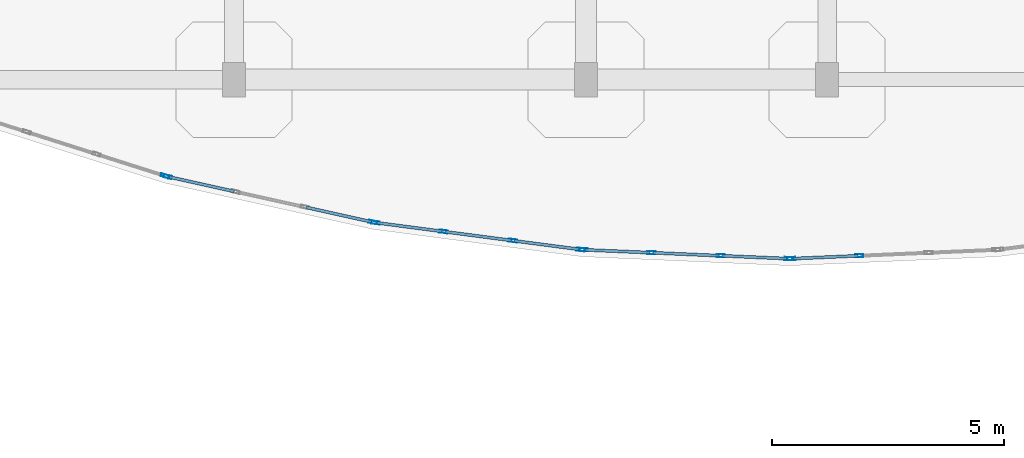
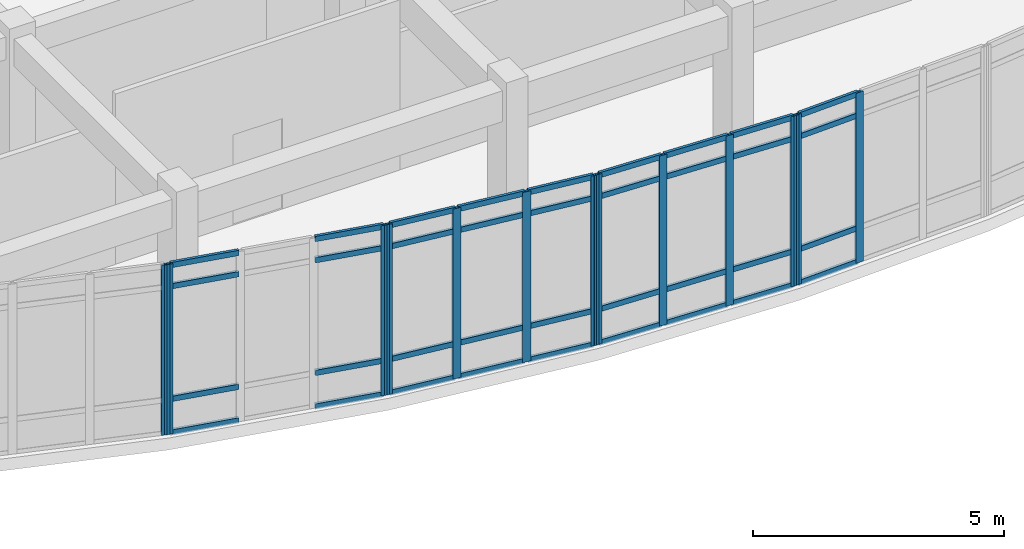
# One storey, part 77 of 142: 49 members, 5 elements without a shape of their own.
"""IFC4 building model written with IfcOpenShell, lengths in metres."""

from ifc_helpers import new_model, si_unit, direction, frame, origin, origin_2d, place, context, subcontext, project, spatial, hollow_rectangle, extrude, material, layer, layer_set, material_profile, profile_set, type_object, element, aggregate, save


model = new_model("IFC4")

# Units and contexts
model_context = context("Model", 3, precision=1e-05, world=origin(), true_north=direction((0.0, 1.0)))
body_context = subcontext(model_context, "Body", "Model", "MODEL_VIEW")
ifc_project = project(units=[si_unit("LENGTHUNIT", "METRE"), si_unit("AREAUNIT", "SQUARE_METRE"), si_unit("VOLUMEUNIT", "CUBIC_METRE"), si_unit("PLANEANGLEUNIT", "RADIAN"), si_unit("MASSUNIT", "GRAM", prefix="KILO")], contexts=[model_context])

# Site, building, storey
site_placement = place(None, origin())
site = spatial("IfcSite", under=ifc_project, at=site_placement, CompositionType="ELEMENT")
building_placement = place(site_placement, origin())
building = spatial("IfcBuilding", under=site, at=building_placement, Name="Valcora Specialist Clinic", CompositionType="ELEMENT")
storey_placement = place(building_placement, frame((0.0, 0.0, 5.10009765625)))
storey = spatial("IfcBuildingStorey", under=building, at=storey_placement, Name="L01", CompositionType="ELEMENT", Elevation=5.10009765625)

# Curtain wall, members
ifc_material = material(Name="Anodized Bronze Aluminium 6063-T6", Category="aluminium")
ifc_layer = layer(ifc_material, 0.175048828125)
ifc_layer_set = layer_set([ifc_layer], Name="Anodized Bronze Aluminium 6063-T6")
curtain_wall_type = type_object("IfcCurtainWallType", Name="TY-CW-ARC44", PredefinedType="NOTDEFINED", material=ifc_layer_set)
curtain_wall_1_placement = place(storey_placement, origin())
curtain_wall_1 = element("IfcCurtainWall", 1, at=curtain_wall_1_placement, inside=storey, type_object=curtain_wall_type, Name="Curtain wall CW-L01-056", PredefinedType="NOTDEFINED")
ifc_material_profile_1 = material_profile(ifc_material, hollow_rectangle(XDim=0.06494140625, YDim=0.175048828125, WallThickness=0.00390625, at=origin_2d()), Name="AL-MUL-65X175")
ifc_profile_set_1 = profile_set([ifc_material_profile_1], Name="Anodized Bronze Aluminium 6063-T6")
member_type_1 = type_object("IfcMemberType", Name="TY-CWM-65X175", PredefinedType="MULLION", material=ifc_profile_set_1)
member_1_placement = place(storey_placement, frame((111.895751953125, 71.0, 0.0), z_axis=(0.0, 0.0, 1.0), x_axis=(0.043306780525, -0.999061821291, 0.0)))
member_1 = element("IfcMember", 2, at=member_1_placement, type_object=member_type_1, Name="CW-ARC-44 mullion 3", PredefinedType="MULLION", context=body_context, shape_type="SweptSolid", body=[
    extrude(hollow_rectangle(XDim=0.06494140625, YDim=0.175048828125, WallThickness=0.00390625, at=origin_2d()), origin(), (0.0, 0.0, 1.0), 4.14501953125),
])
member_2_placement = place(storey_placement, frame((110.432373046875, 70.9365234375, 0.0), z_axis=(0.0, 0.0, 1.0), x_axis=(0.043306780525, -0.999061821291, 0.0)))
member_2 = element("IfcMember", 3, at=member_2_placement, type_object=member_type_1, Name="CW-ARC-44 mullion 4", PredefinedType="MULLION", context=body_context, shape_type="SweptSolid", body=[
    extrude(hollow_rectangle(XDim=0.06494140625, YDim=0.175048828125, WallThickness=0.00390625, at=origin_2d()), origin(), (0.0, 0.0, 1.0), 4.14501953125),
])

curtain_wall_2_placement = place(storey_placement, origin())
curtain_wall_2 = element("IfcCurtainWall", 4, at=curtain_wall_2_placement, inside=storey, type_object=curtain_wall_type, Name="Curtain wall CW-L01-057", PredefinedType="NOTDEFINED")
member_3_placement = place(storey_placement, frame((110.367431640625, 70.9365234375, 0.0), z_axis=(0.0, 0.0, 1.0), x_axis=(-0.043306780525, -0.999061821291, 0.0)))
member_3 = element("IfcMember", 5, at=member_3_placement, type_object=member_type_1, Name="CW-ARC-44 mullion 1", PredefinedType="MULLION", context=body_context, shape_type="SweptSolid", body=[
    extrude(hollow_rectangle(XDim=0.06494140625, YDim=0.175048828125, WallThickness=0.00390625, at=origin_2d()), origin(), (0.0, 0.0, 1.0), 4.14501953125),
])
member_4_placement = place(storey_placement, frame((108.904296875, 71.0, 0.0), z_axis=(0.0, 0.0, 1.0), x_axis=(-0.043306780525, -0.999061821291, 0.0)))
member_4 = element("IfcMember", 6, at=member_4_placement, type_object=member_type_1, Name="CW-ARC-44 mullion 2", PredefinedType="MULLION", context=body_context, shape_type="SweptSolid", body=[
    extrude(hollow_rectangle(XDim=0.06494140625, YDim=0.175048828125, WallThickness=0.00390625, at=origin_2d()), origin(), (0.0, 0.0, 1.0), 4.14501953125),
])
member_5_placement = place(storey_placement, frame((107.40869140625, 71.064697265625, 0.0), z_axis=(0.0, 0.0, 1.0), x_axis=(-0.043306780525, -0.999061821291, 0.0)))
member_5 = element("IfcMember", 7, at=member_5_placement, type_object=member_type_1, Name="CW-ARC-44 mullion 3", PredefinedType="MULLION", context=body_context, shape_type="SweptSolid", body=[
    extrude(hollow_rectangle(XDim=0.06494140625, YDim=0.175048828125, WallThickness=0.00390625, at=origin_2d()), origin(), (0.0, 0.0, 1.0), 4.14501953125),
])
member_6_placement = place(storey_placement, frame((105.945556640625, 71.128173828125, 0.0), z_axis=(0.0, 0.0, 1.0), x_axis=(-0.043306780525, -0.999061821291, 0.0)))
member_6 = element("IfcMember", 8, at=member_6_placement, type_object=member_type_1, Name="CW-ARC-44 mullion 4", PredefinedType="MULLION", context=body_context, shape_type="SweptSolid", body=[
    extrude(hollow_rectangle(XDim=0.06494140625, YDim=0.175048828125, WallThickness=0.00390625, at=origin_2d()), origin(), (0.0, 0.0, 1.0), 4.14501953125),
])

curtain_wall_3_placement = place(storey_placement, origin())
curtain_wall_3 = element("IfcCurtainWall", 9, at=curtain_wall_3_placement, inside=storey, type_object=curtain_wall_type, Name="Curtain wall CW-L01-058", PredefinedType="NOTDEFINED")
member_7_placement = place(storey_placement, frame((105.880859375, 71.1337890625, 0.0), z_axis=(0.0, 0.0, 1.0), x_axis=(-0.129999492259, -0.991514060421, 0.0)))
member_7 = element("IfcMember", 10, at=member_7_placement, type_object=member_type_1, Name="CW-ARC-44 mullion 1", PredefinedType="MULLION", context=body_context, shape_type="SweptSolid", body=[
    extrude(hollow_rectangle(XDim=0.06494140625, YDim=0.175048828125, WallThickness=0.00390625, at=origin_2d()), origin(), (0.0, 0.0, 1.0), 4.14501953125),
])
member_8_placement = place(storey_placement, frame((104.417236328125, 71.32568359375, 0.0), z_axis=(0.0, 0.0, 1.0), x_axis=(-0.129999492259, -0.991514060421, 0.0)))
member_8 = element("IfcMember", 11, at=member_8_placement, type_object=member_type_1, Name="CW-ARC-44 mullion 2", PredefinedType="MULLION", context=body_context, shape_type="SweptSolid", body=[
    extrude(hollow_rectangle(XDim=0.06494140625, YDim=0.175048828125, WallThickness=0.00390625, at=origin_2d()), origin(), (0.0, 0.0, 1.0), 4.14501953125),
])
member_9_placement = place(storey_placement, frame((102.921630859375, 71.521728515625, 0.0), z_axis=(0.0, 0.0, 1.0), x_axis=(-0.129999492259, -0.991514060421, 0.0)))
member_9 = element("IfcMember", 12, at=member_9_placement, type_object=member_type_1, Name="CW-ARC-44 mullion 3", PredefinedType="MULLION", context=body_context, shape_type="SweptSolid", body=[
    extrude(hollow_rectangle(XDim=0.06494140625, YDim=0.175048828125, WallThickness=0.00390625, at=origin_2d()), origin(), (0.0, 0.0, 1.0), 4.14501953125),
])
member_10_placement = place(storey_placement, frame((101.458251953125, 71.713623046875, 0.0), z_axis=(0.0, 0.0, 1.0), x_axis=(-0.129999492259, -0.991514060421, 0.0)))
member_10 = element("IfcMember", 13, at=member_10_placement, type_object=member_type_1, Name="CW-ARC-44 mullion 4", PredefinedType="MULLION", context=body_context, shape_type="SweptSolid", body=[
    extrude(hollow_rectangle(XDim=0.06494140625, YDim=0.175048828125, WallThickness=0.00390625, at=origin_2d()), origin(), (0.0, 0.0, 1.0), 4.14501953125),
])

curtain_wall_4_placement = place(storey_placement, origin())
curtain_wall_4 = element("IfcCurtainWall", 14, at=curtain_wall_4_placement, inside=storey, type_object=curtain_wall_type, Name="Curtain wall CW-L01-059", PredefinedType="NOTDEFINED")
member_11_placement = place(storey_placement, frame((101.394287109375, 71.724853515625, 0.0), z_axis=(0.0, 0.0, 1.0), x_axis=(-0.216518052372, -0.976278614432, 0.0)))
member_11 = element("IfcMember", 15, at=member_11_placement, type_object=member_type_1, Name="CW-ARC-44 mullion 1", PredefinedType="MULLION", context=body_context, shape_type="SweptSolid", body=[
    extrude(hollow_rectangle(XDim=0.06494140625, YDim=0.175048828125, WallThickness=0.00390625, at=origin_2d()), origin(), (0.0, 0.0, 1.0), 4.14501953125),
])
member_12_placement = place(storey_placement, frame((96.970947265625, 72.7060546875, 0.0), z_axis=(0.0, 0.0, 1.0), x_axis=(-0.216518052372, -0.976278614432, 0.0)))
member_12 = element("IfcMember", 16, at=member_12_placement, type_object=member_type_1, Name="CW-ARC-44 mullion 4", PredefinedType="MULLION", context=body_context, shape_type="SweptSolid", body=[
    extrude(hollow_rectangle(XDim=0.06494140625, YDim=0.175048828125, WallThickness=0.00390625, at=origin_2d()), origin(), (0.0, 0.0, 1.0), 4.14501953125),
])

# Curtain wall, member
curtain_wall_5_placement = place(storey_placement, origin())
curtain_wall_5 = element("IfcCurtainWall", 17, at=curtain_wall_5_placement, inside=storey, type_object=curtain_wall_type, Name="Curtain wall CW-L01-060", PredefinedType="NOTDEFINED")
member_13_placement = place(storey_placement, frame((96.908203125, 72.722900390625, 0.0), z_axis=(0.0, 0.0, 1.0), x_axis=(-0.303233270958, -0.952916356972, 0.0)))
member_13 = element("IfcMember", 18, at=member_13_placement, type_object=member_type_1, Name="CW-ARC-44 mullion 1", PredefinedType="MULLION", context=body_context, shape_type="SweptSolid", body=[
    extrude(hollow_rectangle(XDim=0.06494140625, YDim=0.175048828125, WallThickness=0.00390625, at=origin_2d()), origin(), (0.0, 0.0, 1.0), 4.14501953125),
])
aggregate(curtain_wall_5, [member_13])

# Member
ifc_material_profile_2 = material_profile(ifc_material, hollow_rectangle(XDim=0.06494140625, YDim=0.1298828125, WallThickness=0.00390625, at=origin_2d()), Name="AL-TRN-65X130")
ifc_profile_set_2 = profile_set([ifc_material_profile_2], Name="Anodized Bronze Aluminium 6063-T6")
member_type_2 = type_object("IfcMemberType", Name="TY-CWT-65X130", PredefinedType="USERDEFINED", material=ifc_profile_set_2)
member_14_placement = place(storey_placement, frame((111.86328125, 70.99853515625, 0.032470703125), z_axis=(-0.999064039995, -0.043255565977, 0.0), x_axis=(0.043255565977, -0.999064039995, 0.0)))
member_14 = element("IfcMember", 19, at=member_14_placement, type_object=member_type_2, Name="CW-ARC-44 transom 3.1", ObjectType="TRANSOM", PredefinedType="USERDEFINED", context=body_context, shape_type="SweptSolid", body=[
    extrude(hollow_rectangle(XDim=0.06494140625, YDim=0.1298828125, WallThickness=0.00390625, at=origin_2d()), origin(), (0.0, 0.0, 1.0), 1.399658203125),
])

member_15_placement = place(storey_placement, frame((111.86328125, 70.99853515625, 0.849853515625), z_axis=(-0.999064039995, -0.043255565977, 0.0), x_axis=(0.043255565977, -0.999064039995, 0.0)))
member_15 = element("IfcMember", 20, at=member_15_placement, type_object=member_type_2, Name="CW-ARC-44 transom 3.2", ObjectType="TRANSOM", PredefinedType="USERDEFINED", context=body_context, shape_type="SweptSolid", body=[
    extrude(hollow_rectangle(XDim=0.06494140625, YDim=0.1298828125, WallThickness=0.00390625, at=origin_2d()), origin(), (0.0, 0.0, 1.0), 1.399658203125),
])

member_16_placement = place(storey_placement, frame((111.86328125, 70.99853515625, 3.594970703125), z_axis=(-0.999064039995, -0.043255565977, 0.0), x_axis=(0.043255565977, -0.999064039995, 0.0)))
member_16 = element("IfcMember", 21, at=member_16_placement, type_object=member_type_2, Name="CW-ARC-44 transom 3.3", ObjectType="TRANSOM", PredefinedType="USERDEFINED", context=body_context, shape_type="SweptSolid", body=[
    extrude(hollow_rectangle(XDim=0.06494140625, YDim=0.1298828125, WallThickness=0.00390625, at=origin_2d()), origin(), (0.0, 0.0, 1.0), 1.399658203125),
])

member_17_placement = place(storey_placement, frame((111.86328125, 70.99853515625, 4.1123046875), z_axis=(-0.999064039995, -0.043255565977, 0.0), x_axis=(0.043255565977, -0.999064039995, 0.0)))
member_17 = element("IfcMember", 22, at=member_17_placement, type_object=member_type_2, Name="CW-ARC-44 transom 3.4", ObjectType="TRANSOM", PredefinedType="USERDEFINED", context=body_context, shape_type="SweptSolid", body=[
    extrude(hollow_rectangle(XDim=0.06494140625, YDim=0.1298828125, WallThickness=0.00390625, at=origin_2d()), origin(), (0.0, 0.0, 1.0), 1.399658203125),
])

aggregate(curtain_wall_1, [member_1, member_2, member_14, member_15, member_16, member_17])

member_18_placement = place(storey_placement, frame((110.3349609375, 70.93798828125, 0.032470703125), z_axis=(-0.999063713567, 0.043263104761, 0.0), x_axis=(-0.043263104761, -0.999063713567, 0.0)))
member_18 = element("IfcMember", 23, at=member_18_placement, type_object=member_type_2, Name="CW-ARC-44 transom 1.1", ObjectType="TRANSOM", PredefinedType="USERDEFINED", context=body_context, shape_type="SweptSolid", body=[
    extrude(hollow_rectangle(XDim=0.06494140625, YDim=0.1298828125, WallThickness=0.00390625, at=origin_2d()), origin(), (0.0, 0.0, 1.0), 1.3994140625),
])

member_19_placement = place(storey_placement, frame((110.3349609375, 70.93798828125, 0.849853515625), z_axis=(-0.999063713567, 0.043263104761, 0.0), x_axis=(-0.043263104761, -0.999063713567, 0.0)))
member_19 = element("IfcMember", 24, at=member_19_placement, type_object=member_type_2, Name="CW-ARC-44 transom 1.2", ObjectType="TRANSOM", PredefinedType="USERDEFINED", context=body_context, shape_type="SweptSolid", body=[
    extrude(hollow_rectangle(XDim=0.06494140625, YDim=0.1298828125, WallThickness=0.00390625, at=origin_2d()), origin(), (0.0, 0.0, 1.0), 1.3994140625),
])

member_20_placement = place(storey_placement, frame((110.3349609375, 70.93798828125, 3.594970703125), z_axis=(-0.999063713567, 0.043263104761, 0.0), x_axis=(-0.043263104761, -0.999063713567, 0.0)))
member_20 = element("IfcMember", 25, at=member_20_placement, type_object=member_type_2, Name="CW-ARC-44 transom 1.3", ObjectType="TRANSOM", PredefinedType="USERDEFINED", context=body_context, shape_type="SweptSolid", body=[
    extrude(hollow_rectangle(XDim=0.06494140625, YDim=0.1298828125, WallThickness=0.00390625, at=origin_2d()), origin(), (0.0, 0.0, 1.0), 1.3994140625),
])

member_21_placement = place(storey_placement, frame((110.3349609375, 70.93798828125, 4.1123046875), z_axis=(-0.999063713567, 0.043263104761, 0.0), x_axis=(-0.043263104761, -0.999063713567, 0.0)))
member_21 = element("IfcMember", 26, at=member_21_placement, type_object=member_type_2, Name="CW-ARC-44 transom 1.4", ObjectType="TRANSOM", PredefinedType="USERDEFINED", context=body_context, shape_type="SweptSolid", body=[
    extrude(hollow_rectangle(XDim=0.06494140625, YDim=0.1298828125, WallThickness=0.00390625, at=origin_2d()), origin(), (0.0, 0.0, 1.0), 1.3994140625),
])

member_22_placement = place(storey_placement, frame((108.871826171875, 71.001220703125, 0.032470703125), z_axis=(-0.999054549301, 0.043474216736, 0.0), x_axis=(-0.043474216736, -0.999054549301, 0.0)))
member_22 = element("IfcMember", 27, at=member_22_placement, type_object=member_type_2, Name="CW-ARC-44 transom 2.1", ObjectType="TRANSOM", PredefinedType="USERDEFINED", context=body_context, shape_type="SweptSolid", body=[
    extrude(hollow_rectangle(XDim=0.06494140625, YDim=0.1298828125, WallThickness=0.00390625, at=origin_2d()), origin(), (0.0, 0.0, 1.0), 1.43212890625),
])

member_23_placement = place(storey_placement, frame((108.871826171875, 71.001220703125, 0.849853515625), z_axis=(-0.999054549301, 0.043474216736, 0.0), x_axis=(-0.043474216736, -0.999054549301, 0.0)))
member_23 = element("IfcMember", 28, at=member_23_placement, type_object=member_type_2, Name="CW-ARC-44 transom 2.2", ObjectType="TRANSOM", PredefinedType="USERDEFINED", context=body_context, shape_type="SweptSolid", body=[
    extrude(hollow_rectangle(XDim=0.06494140625, YDim=0.1298828125, WallThickness=0.00390625, at=origin_2d()), origin(), (0.0, 0.0, 1.0), 1.43212890625),
])

member_24_placement = place(storey_placement, frame((108.871826171875, 71.001220703125, 3.594970703125), z_axis=(-0.999054549301, 0.043474216736, 0.0), x_axis=(-0.043474216736, -0.999054549301, 0.0)))
member_24 = element("IfcMember", 29, at=member_24_placement, type_object=member_type_2, Name="CW-ARC-44 transom 2.3", ObjectType="TRANSOM", PredefinedType="USERDEFINED", context=body_context, shape_type="SweptSolid", body=[
    extrude(hollow_rectangle(XDim=0.06494140625, YDim=0.1298828125, WallThickness=0.00390625, at=origin_2d()), origin(), (0.0, 0.0, 1.0), 1.43212890625),
])

member_25_placement = place(storey_placement, frame((108.871826171875, 71.001220703125, 4.1123046875), z_axis=(-0.999054549301, 0.043474216736, 0.0), x_axis=(-0.043474216736, -0.999054549301, 0.0)))
member_25 = element("IfcMember", 30, at=member_25_placement, type_object=member_type_2, Name="CW-ARC-44 transom 2.4", ObjectType="TRANSOM", PredefinedType="USERDEFINED", context=body_context, shape_type="SweptSolid", body=[
    extrude(hollow_rectangle(XDim=0.06494140625, YDim=0.1298828125, WallThickness=0.00390625, at=origin_2d()), origin(), (0.0, 0.0, 1.0), 1.43212890625),
])

member_26_placement = place(storey_placement, frame((107.376220703125, 71.066162109375, 0.032470703125), z_axis=(-0.999063713567, 0.043263104761, 0.0), x_axis=(-0.043263104761, -0.999063713567, 0.0)))
member_26 = element("IfcMember", 31, at=member_26_placement, type_object=member_type_2, Name="CW-ARC-44 transom 3.1", ObjectType="TRANSOM", PredefinedType="USERDEFINED", context=body_context, shape_type="SweptSolid", body=[
    extrude(hollow_rectangle(XDim=0.06494140625, YDim=0.1298828125, WallThickness=0.00390625, at=origin_2d()), origin(), (0.0, 0.0, 1.0), 1.3994140625),
])

member_27_placement = place(storey_placement, frame((107.376220703125, 71.066162109375, 0.849853515625), z_axis=(-0.999063713567, 0.043263104761, 0.0), x_axis=(-0.043263104761, -0.999063713567, 0.0)))
member_27 = element("IfcMember", 32, at=member_27_placement, type_object=member_type_2, Name="CW-ARC-44 transom 3.2", ObjectType="TRANSOM", PredefinedType="USERDEFINED", context=body_context, shape_type="SweptSolid", body=[
    extrude(hollow_rectangle(XDim=0.06494140625, YDim=0.1298828125, WallThickness=0.00390625, at=origin_2d()), origin(), (0.0, 0.0, 1.0), 1.3994140625),
])

member_28_placement = place(storey_placement, frame((107.376220703125, 71.066162109375, 3.594970703125), z_axis=(-0.999063713567, 0.043263104761, 0.0), x_axis=(-0.043263104761, -0.999063713567, 0.0)))
member_28 = element("IfcMember", 33, at=member_28_placement, type_object=member_type_2, Name="CW-ARC-44 transom 3.3", ObjectType="TRANSOM", PredefinedType="USERDEFINED", context=body_context, shape_type="SweptSolid", body=[
    extrude(hollow_rectangle(XDim=0.06494140625, YDim=0.1298828125, WallThickness=0.00390625, at=origin_2d()), origin(), (0.0, 0.0, 1.0), 1.3994140625),
])

member_29_placement = place(storey_placement, frame((107.376220703125, 71.066162109375, 4.1123046875), z_axis=(-0.999063713567, 0.043263104761, 0.0), x_axis=(-0.043263104761, -0.999063713567, 0.0)))
member_29 = element("IfcMember", 34, at=member_29_placement, type_object=member_type_2, Name="CW-ARC-44 transom 3.4", ObjectType="TRANSOM", PredefinedType="USERDEFINED", context=body_context, shape_type="SweptSolid", body=[
    extrude(hollow_rectangle(XDim=0.06494140625, YDim=0.1298828125, WallThickness=0.00390625, at=origin_2d()), origin(), (0.0, 0.0, 1.0), 1.3994140625),
])

aggregate(curtain_wall_2, [member_3, member_4, member_5, member_6, member_18, member_19, member_20, member_21, member_22, member_23, member_24, member_25, member_26, member_27, member_28, member_29])

member_30_placement = place(storey_placement, frame((105.8486328125, 71.137939453125, 0.032470703125), z_axis=(-0.991500752316, 0.130100953715, 0.0), x_axis=(-0.130100953715, -0.991500752316, 0.0)))
member_30 = element("IfcMember", 35, at=member_30_placement, type_object=member_type_2, Name="CW-ARC-44 transom 1.1", ObjectType="TRANSOM", PredefinedType="USERDEFINED", context=body_context, shape_type="SweptSolid", body=[
    extrude(hollow_rectangle(XDim=0.06494140625, YDim=0.1298828125, WallThickness=0.00390625, at=origin_2d()), origin(), (0.0, 0.0, 1.0), 1.4111328125),
])

member_31_placement = place(storey_placement, frame((105.8486328125, 71.137939453125, 0.849853515625), z_axis=(-0.991500752316, 0.130100953715, 0.0), x_axis=(-0.130100953715, -0.991500752316, 0.0)))
member_31 = element("IfcMember", 36, at=member_31_placement, type_object=member_type_2, Name="CW-ARC-44 transom 1.2", ObjectType="TRANSOM", PredefinedType="USERDEFINED", context=body_context, shape_type="SweptSolid", body=[
    extrude(hollow_rectangle(XDim=0.06494140625, YDim=0.1298828125, WallThickness=0.00390625, at=origin_2d()), origin(), (0.0, 0.0, 1.0), 1.4111328125),
])

member_32_placement = place(storey_placement, frame((105.8486328125, 71.137939453125, 3.594970703125), z_axis=(-0.991500752316, 0.130100953715, 0.0), x_axis=(-0.130100953715, -0.991500752316, 0.0)))
member_32 = element("IfcMember", 37, at=member_32_placement, type_object=member_type_2, Name="CW-ARC-44 transom 1.3", ObjectType="TRANSOM", PredefinedType="USERDEFINED", context=body_context, shape_type="SweptSolid", body=[
    extrude(hollow_rectangle(XDim=0.06494140625, YDim=0.1298828125, WallThickness=0.00390625, at=origin_2d()), origin(), (0.0, 0.0, 1.0), 1.4111328125),
])

member_33_placement = place(storey_placement, frame((105.8486328125, 71.137939453125, 4.1123046875), z_axis=(-0.991500752316, 0.130100953715, 0.0), x_axis=(-0.130100953715, -0.991500752316, 0.0)))
member_33 = element("IfcMember", 38, at=member_33_placement, type_object=member_type_2, Name="CW-ARC-44 transom 1.4", ObjectType="TRANSOM", PredefinedType="USERDEFINED", context=body_context, shape_type="SweptSolid", body=[
    extrude(hollow_rectangle(XDim=0.06494140625, YDim=0.1298828125, WallThickness=0.00390625, at=origin_2d()), origin(), (0.0, 0.0, 1.0), 1.4111328125),
])

member_34_placement = place(storey_placement, frame((104.385009765625, 71.329833984375, 0.032470703125), z_axis=(-0.991504882499, 0.130069473668, 0.0), x_axis=(-0.130069473668, -0.991504882499, 0.0)))
member_34 = element("IfcMember", 39, at=member_34_placement, type_object=member_type_2, Name="CW-ARC-44 transom 2.1", ObjectType="TRANSOM", PredefinedType="USERDEFINED", context=body_context, shape_type="SweptSolid", body=[
    extrude(hollow_rectangle(XDim=0.06494140625, YDim=0.1298828125, WallThickness=0.00390625, at=origin_2d()), origin(), (0.0, 0.0, 1.0), 1.443359375),
])

member_35_placement = place(storey_placement, frame((104.385009765625, 71.329833984375, 0.849853515625), z_axis=(-0.991504882499, 0.130069473668, 0.0), x_axis=(-0.130069473668, -0.991504882499, 0.0)))
member_35 = element("IfcMember", 40, at=member_35_placement, type_object=member_type_2, Name="CW-ARC-44 transom 2.2", ObjectType="TRANSOM", PredefinedType="USERDEFINED", context=body_context, shape_type="SweptSolid", body=[
    extrude(hollow_rectangle(XDim=0.06494140625, YDim=0.1298828125, WallThickness=0.00390625, at=origin_2d()), origin(), (0.0, 0.0, 1.0), 1.443359375),
])

member_36_placement = place(storey_placement, frame((104.385009765625, 71.329833984375, 3.594970703125), z_axis=(-0.991504882499, 0.130069473668, 0.0), x_axis=(-0.130069473668, -0.991504882499, 0.0)))
member_36 = element("IfcMember", 41, at=member_36_placement, type_object=member_type_2, Name="CW-ARC-44 transom 2.3", ObjectType="TRANSOM", PredefinedType="USERDEFINED", context=body_context, shape_type="SweptSolid", body=[
    extrude(hollow_rectangle(XDim=0.06494140625, YDim=0.1298828125, WallThickness=0.00390625, at=origin_2d()), origin(), (0.0, 0.0, 1.0), 1.443359375),
])

member_37_placement = place(storey_placement, frame((104.385009765625, 71.329833984375, 4.1123046875), z_axis=(-0.991504882499, 0.130069473668, 0.0), x_axis=(-0.130069473668, -0.991504882499, 0.0)))
member_37 = element("IfcMember", 42, at=member_37_placement, type_object=member_type_2, Name="CW-ARC-44 transom 2.4", ObjectType="TRANSOM", PredefinedType="USERDEFINED", context=body_context, shape_type="SweptSolid", body=[
    extrude(hollow_rectangle(XDim=0.06494140625, YDim=0.1298828125, WallThickness=0.00390625, at=origin_2d()), origin(), (0.0, 0.0, 1.0), 1.443359375),
])

member_38_placement = place(storey_placement, frame((102.889404296875, 71.526123046875, 0.032470703125), z_axis=(-0.991520133728, 0.129953162379, 0.0), x_axis=(-0.129953162379, -0.991520133728, 0.0)))
member_38 = element("IfcMember", 43, at=member_38_placement, type_object=member_type_2, Name="CW-ARC-44 transom 3.1", ObjectType="TRANSOM", PredefinedType="USERDEFINED", context=body_context, shape_type="SweptSolid", body=[
    extrude(hollow_rectangle(XDim=0.06494140625, YDim=0.1298828125, WallThickness=0.00390625, at=origin_2d()), origin(), (0.0, 0.0, 1.0), 1.410888671875),
])

member_39_placement = place(storey_placement, frame((102.889404296875, 71.526123046875, 0.849853515625), z_axis=(-0.991520133728, 0.129953162379, 0.0), x_axis=(-0.129953162379, -0.991520133728, 0.0)))
member_39 = element("IfcMember", 44, at=member_39_placement, type_object=member_type_2, Name="CW-ARC-44 transom 3.2", ObjectType="TRANSOM", PredefinedType="USERDEFINED", context=body_context, shape_type="SweptSolid", body=[
    extrude(hollow_rectangle(XDim=0.06494140625, YDim=0.1298828125, WallThickness=0.00390625, at=origin_2d()), origin(), (0.0, 0.0, 1.0), 1.410888671875),
])

member_40_placement = place(storey_placement, frame((102.889404296875, 71.526123046875, 3.594970703125), z_axis=(-0.991520133728, 0.129953162379, 0.0), x_axis=(-0.129953162379, -0.991520133728, 0.0)))
member_40 = element("IfcMember", 45, at=member_40_placement, type_object=member_type_2, Name="CW-ARC-44 transom 3.3", ObjectType="TRANSOM", PredefinedType="USERDEFINED", context=body_context, shape_type="SweptSolid", body=[
    extrude(hollow_rectangle(XDim=0.06494140625, YDim=0.1298828125, WallThickness=0.00390625, at=origin_2d()), origin(), (0.0, 0.0, 1.0), 1.410888671875),
])

member_41_placement = place(storey_placement, frame((102.889404296875, 71.526123046875, 4.1123046875), z_axis=(-0.991520133728, 0.129953162379, 0.0), x_axis=(-0.129953162379, -0.991520133728, 0.0)))
member_41 = element("IfcMember", 46, at=member_41_placement, type_object=member_type_2, Name="CW-ARC-44 transom 3.4", ObjectType="TRANSOM", PredefinedType="USERDEFINED", context=body_context, shape_type="SweptSolid", body=[
    extrude(hollow_rectangle(XDim=0.06494140625, YDim=0.1298828125, WallThickness=0.00390625, at=origin_2d()), origin(), (0.0, 0.0, 1.0), 1.410888671875),
])

aggregate(curtain_wall_3, [member_7, member_8, member_9, member_10, member_30, member_31, member_32, member_33, member_34, member_35, member_36, member_37, member_38, member_39, member_40, member_41])

member_42_placement = place(storey_placement, frame((101.362548828125, 71.73193359375, 0.032470703125), z_axis=(-0.976283078872, 0.216497921256, 0.0), x_axis=(-0.216497921256, -0.976283078872, 0.0)))
member_42 = element("IfcMember", 47, at=member_42_placement, type_object=member_type_2, Name="CW-ARC-44 transom 1.1", ObjectType="TRANSOM", PredefinedType="USERDEFINED", context=body_context, shape_type="SweptSolid", body=[
    extrude(hollow_rectangle(XDim=0.06494140625, YDim=0.1298828125, WallThickness=0.00390625, at=origin_2d()), origin(), (0.0, 0.0, 1.0), 1.434326171875),
])

member_43_placement = place(storey_placement, frame((101.362548828125, 71.73193359375, 0.849853515625), z_axis=(-0.976283078872, 0.216497921256, 0.0), x_axis=(-0.216497921256, -0.976283078872, 0.0)))
member_43 = element("IfcMember", 48, at=member_43_placement, type_object=member_type_2, Name="CW-ARC-44 transom 1.2", ObjectType="TRANSOM", PredefinedType="USERDEFINED", context=body_context, shape_type="SweptSolid", body=[
    extrude(hollow_rectangle(XDim=0.06494140625, YDim=0.1298828125, WallThickness=0.00390625, at=origin_2d()), origin(), (0.0, 0.0, 1.0), 1.434326171875),
])

member_44_placement = place(storey_placement, frame((101.362548828125, 71.73193359375, 3.594970703125), z_axis=(-0.976283078872, 0.216497921256, 0.0), x_axis=(-0.216497921256, -0.976283078872, 0.0)))
member_44 = element("IfcMember", 49, at=member_44_placement, type_object=member_type_2, Name="CW-ARC-44 transom 1.3", ObjectType="TRANSOM", PredefinedType="USERDEFINED", context=body_context, shape_type="SweptSolid", body=[
    extrude(hollow_rectangle(XDim=0.06494140625, YDim=0.1298828125, WallThickness=0.00390625, at=origin_2d()), origin(), (0.0, 0.0, 1.0), 1.434326171875),
])

member_45_placement = place(storey_placement, frame((101.362548828125, 71.73193359375, 4.1123046875), z_axis=(-0.976283078872, 0.216497921256, 0.0), x_axis=(-0.216497921256, -0.976283078872, 0.0)))
member_45 = element("IfcMember", 50, at=member_45_placement, type_object=member_type_2, Name="CW-ARC-44 transom 1.4", ObjectType="TRANSOM", PredefinedType="USERDEFINED", context=body_context, shape_type="SweptSolid", body=[
    extrude(hollow_rectangle(XDim=0.06494140625, YDim=0.1298828125, WallThickness=0.00390625, at=origin_2d()), origin(), (0.0, 0.0, 1.0), 1.434326171875),
])

member_46_placement = place(storey_placement, frame((98.403076171875, 72.388427734375, 0.032470703125), z_axis=(-0.976291054518, 0.216461952475, 0.0), x_axis=(-0.216461952475, -0.976291054518, 0.0)))
member_46 = element("IfcMember", 51, at=member_46_placement, type_object=member_type_2, Name="CW-ARC-44 transom 3.1", ObjectType="TRANSOM", PredefinedType="USERDEFINED", context=body_context, shape_type="SweptSolid", body=[
    extrude(hollow_rectangle(XDim=0.06494140625, YDim=0.1298828125, WallThickness=0.00390625, at=origin_2d()), origin(), (0.0, 0.0, 1.0), 1.4345703125),
])

member_47_placement = place(storey_placement, frame((98.403076171875, 72.388427734375, 0.849853515625), z_axis=(-0.976291054518, 0.216461952475, 0.0), x_axis=(-0.216461952475, -0.976291054518, 0.0)))
member_47 = element("IfcMember", 52, at=member_47_placement, type_object=member_type_2, Name="CW-ARC-44 transom 3.2", ObjectType="TRANSOM", PredefinedType="USERDEFINED", context=body_context, shape_type="SweptSolid", body=[
    extrude(hollow_rectangle(XDim=0.06494140625, YDim=0.1298828125, WallThickness=0.00390625, at=origin_2d()), origin(), (0.0, 0.0, 1.0), 1.4345703125),
])

member_48_placement = place(storey_placement, frame((98.403076171875, 72.388427734375, 3.594970703125), z_axis=(-0.976291054518, 0.216461952475, 0.0), x_axis=(-0.216461952475, -0.976291054518, 0.0)))
member_48 = element("IfcMember", 53, at=member_48_placement, type_object=member_type_2, Name="CW-ARC-44 transom 3.3", ObjectType="TRANSOM", PredefinedType="USERDEFINED", context=body_context, shape_type="SweptSolid", body=[
    extrude(hollow_rectangle(XDim=0.06494140625, YDim=0.1298828125, WallThickness=0.00390625, at=origin_2d()), origin(), (0.0, 0.0, 1.0), 1.4345703125),
])

member_49_placement = place(storey_placement, frame((98.403076171875, 72.388427734375, 4.1123046875), z_axis=(-0.976291054518, 0.216461952475, 0.0), x_axis=(-0.216461952475, -0.976291054518, 0.0)))
member_49 = element("IfcMember", 54, at=member_49_placement, type_object=member_type_2, Name="CW-ARC-44 transom 3.4", ObjectType="TRANSOM", PredefinedType="USERDEFINED", context=body_context, shape_type="SweptSolid", body=[
    extrude(hollow_rectangle(XDim=0.06494140625, YDim=0.1298828125, WallThickness=0.00390625, at=origin_2d()), origin(), (0.0, 0.0, 1.0), 1.4345703125),
])

aggregate(curtain_wall_4, [member_11, member_12, member_42, member_43, member_44, member_45, member_46, member_47, member_48, member_49])

save(model, "model.ifc")
